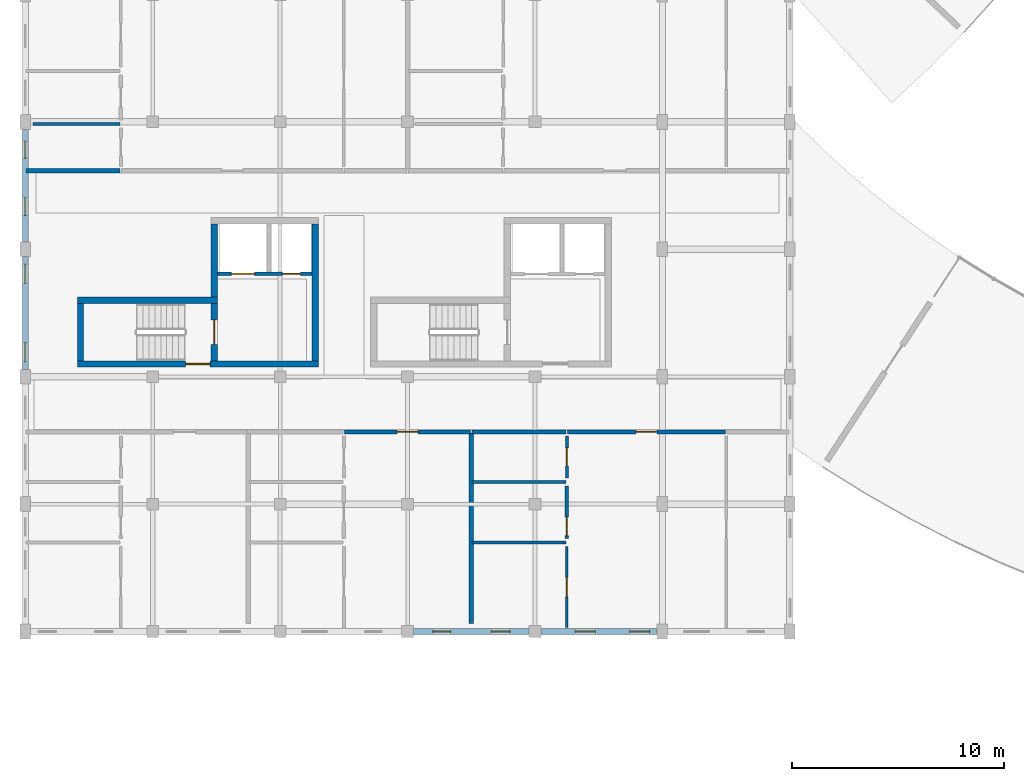
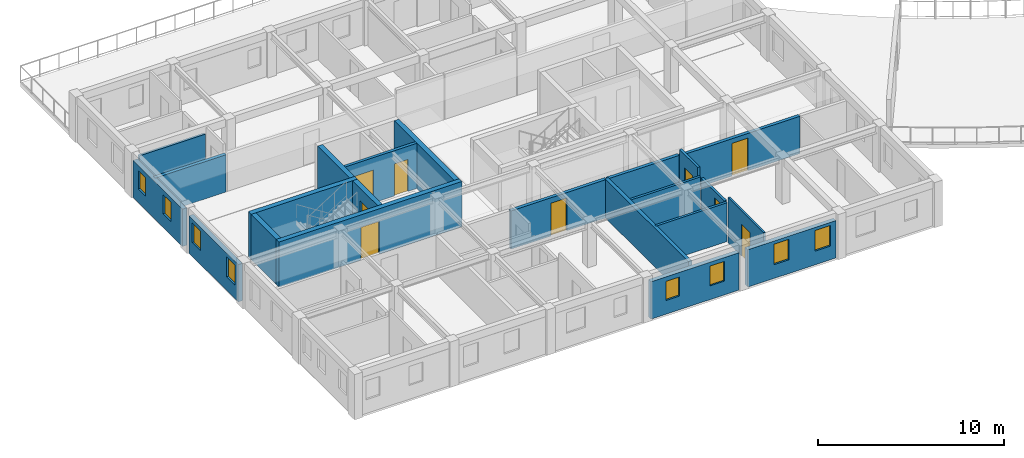
# One storey, part 26 of 58: 22 walls, 9 doors, 8 windows, 17 openings.
"""IFC4 building model written with IfcOpenShell, lengths in metres."""

from ifc_helpers import new_model, si_unit, direction, frame, frame_2d, origin, place, context, subcontext, project, spatial, rectangle, extrude, material, layer, layer_set, type_object, element, fill, save


model = new_model("IFC4")

# Units and contexts
model_context = context("Model", 3, precision=1e-05, world=origin(), true_north=direction((0.0, 1.0)))
body_context = subcontext(model_context, "Body", "Model", "MODEL_VIEW")
ifc_project = project(units=[si_unit("LENGTHUNIT", "METRE"), si_unit("AREAUNIT", "SQUARE_METRE"), si_unit("VOLUMEUNIT", "CUBIC_METRE"), si_unit("PLANEANGLEUNIT", "RADIAN"), si_unit("MASSUNIT", "GRAM", prefix="KILO"), si_unit("POWERUNIT", "WATT"), si_unit("THERMODYNAMICTEMPERATUREUNIT", "KELVIN")], contexts=[model_context])

# Site, building, storey
site_placement = place(None, origin())
site = spatial("IfcSite", under=ifc_project, at=site_placement, CompositionType="ELEMENT")
building_placement = place(site_placement, origin())
building = spatial("IfcBuilding", under=site, at=building_placement, Name="Ruvembo Vaulted Housing Court", CompositionType="ELEMENT")
storey_placement = place(building_placement, frame((0.0, 0.0, 20.5)))
storey = spatial("IfcBuildingStorey", under=building, at=storey_placement, Name="L06", CompositionType="ELEMENT", Elevation=20.5)

# Wall, opening, door
ifc_material_1 = material(Name="Concrete C35/45", Category="concrete")
ifc_layer_1 = layer(ifc_material_1, 0.300048828125, Name="Concrete C35/45")
ifc_layer_set_1 = layer_set([ifc_layer_1], Name="Concrete C35/45")
wall_type_1 = type_object("IfcWallType", Name="WL-CORE-300", PredefinedType="SHEAR", material=ifc_layer_set_1)
wall_1_placement = place(storey_placement, frame((2.449951171875, 18.60009765625, 0.0), z_axis=(0.0, 0.0, 1.0), x_axis=(1.0, 0.0, 0.0)))
wall_1 = element("IfcWall", 1, at=wall_1_placement, inside=storey, type_object=wall_type_1, Name="Core A1 L06 South Shear Wall", PredefinedType="SHEAR", context=body_context, shape_type="SweptSolid", body=[
    extrude(rectangle(XDim=11.35009765625, YDim=0.300048828125, at=frame_2d((5.675048828125, 0.0))), origin(), (0.0, 0.0, 1.0), 2.969970703125),
])
opening_1_placement = place(wall_1_placement, frame((5.10009765625, 0.0, 0.0)))
opening_1 = element("IfcOpeningElement", 2, at=opening_1_placement, cuts=wall_1, Name="Opening LD0", PredefinedType="OPENING", context=body_context, shape_type="SweptSolid", body=[
    extrude(rectangle(XDim=1.14990234375, YDim=2.14990234375, at=frame_2d((0.574951171875, 1.074951171875))), frame((0.0, 0.159912109375, 0.0), z_axis=(0.0, -1.0, 0.0), x_axis=(1.0, 0.0, 0.0)), (0.0, 0.0, 1.0), 0.320068359375),
])
ifc_material_2 = material(Name="Galvanised Painted Steel", Category="steel")
door_type_1 = type_object("IfcDoorType", Name="DR-LOB-1150x2150", OperationType="NOTDEFINED", PredefinedType="DOOR", material=ifc_material_2)
door_1_placement = place(opening_1_placement, origin())
door_1 = element("IfcDoor", 3, at=door_1_placement, inside=storey, type_object=door_type_1, Name="Core A1 L06 Lobby Fire Door", OperationType="SINGLE_SWING_RIGHT", OverallHeight=2.14990234375, OverallWidth=1.14990234375, PredefinedType="DOOR", context=body_context, shape_type="SweptSolid", body=[
    extrude(rectangle(XDim=1.14990234375, YDim=2.14990234375, at=frame_2d((0.574951171875, 1.074951171875))), frame((0.0, 0.02490234375, 0.0), z_axis=(0.0, -1.0, 0.0), x_axis=(1.0, 0.0, 0.0)), (0.0, 0.0, 1.0), 0.050048828125),
])
fill(opening_1, door_1)

# Walls
wall_2_placement = place(storey_placement, frame((9.050048828125, 21.60009765625, 0.0), z_axis=(0.0, 0.0, 1.0), x_axis=(-1.0, 0.0, 0.0)))
element("IfcWall", 4, at=wall_2_placement, inside=storey, type_object=wall_type_1, Name="Core A1 L06 Stair North Shear Wall", PredefinedType="SHEAR", context=body_context, shape_type="SweptSolid", body=[
    extrude(rectangle(XDim=6.60009765625, YDim=0.300048828125, at=frame_2d((3.300048828125, 0.0))), origin(), (0.0, 0.0, 1.0), 2.969970703125),
])
wall_3_placement = place(storey_placement, frame((2.60009765625, 21.449951171875, 0.0), z_axis=(0.0, 0.0, 1.0), x_axis=(0.0, -1.0, 0.0)))
element("IfcWall", 5, at=wall_3_placement, inside=storey, type_object=wall_type_1, Name="Core A1 L06 Stair West Shear Wall", PredefinedType="SHEAR", context=body_context, shape_type="SweptSolid", body=[
    extrude(rectangle(XDim=2.699951171875, YDim=0.300048828125, at=frame_2d((1.35009765625, 0.0))), origin(), (0.0, 0.0, 1.0), 2.969970703125),
])

# Wall, opening, door
wall_4_placement = place(storey_placement, frame((8.89990234375, 18.75, 0.0), z_axis=(0.0, 0.0, 1.0), x_axis=(0.0, 1.0, 0.0)))
wall_4 = element("IfcWall", 6, at=wall_4_placement, inside=storey, type_object=wall_type_1, Name="Core A1 L06 Stair-Lobby Shear Wall", PredefinedType="SHEAR", context=body_context, shape_type="SweptSolid", body=[
    extrude(rectangle(XDim=2.699951171875, YDim=0.300048828125, at=frame_2d((1.35009765625, 0.0))), origin(), (0.0, 0.0, 1.0), 2.969970703125),
])
opening_2_placement = place(wall_4_placement, frame((0.77490234375, 0.0, 0.0)))
opening_2 = element("IfcOpeningElement", 7, at=opening_2_placement, cuts=wall_4, Name="Opening SD1", PredefinedType="OPENING", context=body_context, shape_type="SweptSolid", body=[
    extrude(rectangle(XDim=1.14990234375, YDim=2.14990234375, at=frame_2d((0.574951171875, 1.074951171875))), frame((0.0, 0.159912109375, 0.0), z_axis=(0.0, -1.0, 0.0), x_axis=(1.0, 0.0, 0.0)), (0.0, 0.0, 1.0), 0.320068359375),
])
door_type_2 = type_object("IfcDoorType", Name="DR-STAIR-1150x2150", OperationType="NOTDEFINED", PredefinedType="DOOR", material=ifc_material_2)
door_2_placement = place(opening_2_placement, origin())
door_2 = element("IfcDoor", 8, at=door_2_placement, inside=storey, type_object=door_type_2, Name="Stair ST-A1 L06 Fire Door", OperationType="SINGLE_SWING_LEFT", OverallHeight=2.14990234375, OverallWidth=1.14990234375, PredefinedType="DOOR", context=body_context, shape_type="SweptSolid", body=[
    extrude(rectangle(XDim=1.14990234375, YDim=2.14990234375, at=frame_2d((0.574951171875, 1.074951171875))), frame((0.0, 0.02490234375, 0.0), z_axis=(0.0, -1.0, 0.0), x_axis=(1.0, 0.0, 0.0)), (0.0, 0.0, 1.0), 0.050048828125),
])
fill(opening_2, door_2)

# Walls
wall_5_placement = place(storey_placement, frame((13.64990234375, 18.75, 0.0), z_axis=(0.0, 0.0, 1.0), x_axis=(0.0, 1.0, 0.0)))
element("IfcWall", 9, at=wall_5_placement, inside=storey, type_object=wall_type_1, Name="Core A1 L06 East Shear Wall", PredefinedType="SHEAR", context=body_context, shape_type="SweptSolid", body=[
    extrude(rectangle(XDim=6.449951171875, YDim=0.300048828125, at=frame_2d((3.22509765625, 0.0))), origin(), (0.0, 0.0, 1.0), 2.969970703125),
])
wall_6_placement = place(storey_placement, frame((8.89990234375, 21.75, 0.0), z_axis=(0.0, 0.0, 1.0), x_axis=(0.0, 1.0, 0.0)))
element("IfcWall", 10, at=wall_6_placement, inside=storey, type_object=wall_type_1, Name="Core A1 L06 Upper West Shear Wall", PredefinedType="SHEAR", context=body_context, shape_type="SweptSolid", body=[
    extrude(rectangle(XDim=3.449951171875, YDim=0.300048828125, at=frame_2d((1.72509765625, 0.0))), origin(), (0.0, 0.0, 1.0), 2.969970703125),
])

# Wall, opening, door
ifc_material_3 = material(Name="Concrete Blockwork 200", Category="masonry")
ifc_layer_2 = layer(ifc_material_3, 0.199951171875, Name="Concrete Blockwork 200")
ifc_layer_set_2 = layer_set([ifc_layer_2], Name="Concrete Blockwork 200")
wall_type_2 = type_object("IfcWallType", Name="WL-CORR-200", PredefinedType="SOLIDWALL", material=ifc_layer_set_2)
wall_7_placement = place(storey_placement, frame((15.0400390625, 15.39990234375, 0.0), z_axis=(0.0, 0.0, 1.0), x_axis=(1.0, 0.0, 0.0)))
wall_7 = element("IfcWall", 11, at=wall_7_placement, inside=storey, type_object=wall_type_2, Name="L06 Flat A-L06-S2 Entrance WL-INT-L06-01700", PredefinedType="SOLIDWALL", context=body_context, shape_type="SweptSolid", body=[
    extrude(rectangle(XDim=5.919921875, YDim=0.199951171875, at=frame_2d((2.9599609375, 0.0))), origin(), (0.0, 0.0, 1.0), 2.508056640625),
])
opening_3_placement = place(wall_7_placement, frame((2.4599609375, 0.0, 0.0)))
opening_3 = element("IfcOpeningElement", 12, at=opening_3_placement, cuts=wall_7, Name="Opening FD1", PredefinedType="OPENING", context=body_context, shape_type="SweptSolid", body=[
    extrude(rectangle(XDim=1.0, YDim=2.14990234375, at=frame_2d((0.5, 1.074951171875))), frame((0.0, 0.10986328125, 0.0), z_axis=(0.0, -1.0, 0.0), x_axis=(1.0, 0.0, 0.0)), (0.0, 0.0, 1.0), 0.219970703125),
])
ifc_material_4 = material(Name="FSC Hardwood and Engineered Timber", Category="wood")
door_type_3 = type_object("IfcDoorType", Name="DR-FLAT-1000x2150", OperationType="NOTDEFINED", PredefinedType="DOOR", material=ifc_material_4)
door_3_placement = place(opening_3_placement, origin())
door_3 = element("IfcDoor", 13, at=door_3_placement, inside=storey, type_object=door_type_3, Name="L06 Flat A-L06-S2 Entrance Door DR-INT-L06-00963", OperationType="SINGLE_SWING_LEFT", OverallHeight=2.14990234375, OverallWidth=1.0, PredefinedType="DOOR", context=body_context, shape_type="SweptSolid", body=[
    extrude(rectangle(XDim=1.0, YDim=2.14990234375, at=frame_2d((0.5, 1.074951171875))), frame((0.0, 0.02490234375, 0.0), z_axis=(0.0, -1.0, 0.0), x_axis=(1.0, 0.0, 0.0)), (0.0, 0.0, 1.0), 0.050048828125),
])
fill(opening_3, door_3)

# Wall
wall_8_placement = place(storey_placement, frame((21.0400390625, 15.39990234375, 0.0), z_axis=(0.0, 0.0, 1.0), x_axis=(1.0, 0.0, 0.0)))
element("IfcWall", 14, at=wall_8_placement, inside=storey, type_object=wall_type_2, Name="L06 Flat A-L06-S3 Corridor Wall WL-INT-L06-01706", PredefinedType="SOLIDWALL", context=body_context, shape_type="SweptSolid", body=[
    extrude(rectangle(XDim=4.419921875, YDim=0.199951171875, at=frame_2d((2.2099609375, 0.0))), origin(), (0.0, 0.0, 1.0), 2.508056640625),
])

# Wall, opening, door
wall_9_placement = place(storey_placement, frame((25.5400390625, 15.39990234375, 0.0), z_axis=(0.0, 0.0, 1.0), x_axis=(1.0, 0.0, 0.0)))
wall_9 = element("IfcWall", 15, at=wall_9_placement, inside=storey, type_object=wall_type_2, Name="L06 Flat A-L06-S3 Entrance WL-INT-L06-01707", PredefinedType="SOLIDWALL", context=body_context, shape_type="SweptSolid", body=[
    extrude(rectangle(XDim=7.419921875, YDim=0.199951171875, at=frame_2d((3.7099609375, 0.0))), origin(), (0.0, 0.0, 1.0), 2.451904296875),
])
opening_4_placement = place(wall_9_placement, frame((3.219970703125, 0.0, 0.0)))
opening_4 = element("IfcOpeningElement", 16, at=opening_4_placement, cuts=wall_9, Name="Opening FD2", PredefinedType="OPENING", context=body_context, shape_type="SweptSolid", body=[
    extrude(rectangle(XDim=0.97998046875, YDim=2.14990234375, at=frame_2d((0.489990234375, 1.074951171875))), frame((0.0, 0.10986328125, 0.0), z_axis=(0.0, -1.0, 0.0), x_axis=(1.0, 0.0, 0.0)), (0.0, 0.0, 1.0), 0.219970703125),
])
door_type_4 = type_object("IfcDoorType", Name="DR-FLAT-0980x2150", OperationType="NOTDEFINED", PredefinedType="DOOR", material=ifc_material_4)
door_4_placement = place(opening_4_placement, origin())
door_4 = element("IfcDoor", 17, at=door_4_placement, inside=storey, type_object=door_type_4, Name="L06 Flat A-L06-S3 Entrance Door DR-INT-L06-00967", OperationType="SINGLE_SWING_LEFT", OverallHeight=2.14990234375, OverallWidth=0.97998046875, PredefinedType="DOOR", context=body_context, shape_type="SweptSolid", body=[
    extrude(rectangle(XDim=0.97998046875, YDim=2.14990234375, at=frame_2d((0.489990234375, 1.074951171875))), frame((0.0, 0.02490234375, 0.0), z_axis=(0.0, -1.0, 0.0), x_axis=(1.0, 0.0, 0.0)), (0.0, 0.0, 1.0), 0.050048828125),
])
fill(opening_4, door_4)

# Walls
wall_10_placement = place(storey_placement, frame((0.0400390625, 27.699951171875, 0.0), z_axis=(0.0, 0.0, 1.0), x_axis=(1.0, 0.0, 0.0)))
element("IfcWall", 18, at=wall_10_placement, inside=storey, type_object=wall_type_2, Name="L06 Flat A-L06-N1 Corridor Wall WL-INT-L06-01716", PredefinedType="SOLIDWALL", context=body_context, shape_type="SweptSolid", body=[
    extrude(rectangle(XDim=4.419921875, YDim=0.199951171875, at=frame_2d((2.2099609375, 0.0))), origin(), (0.0, 0.0, 1.0), 2.451904296875),
])
ifc_material_5 = material(Name="Acoustic Masonry Demising 220", Category="masonry")
ifc_layer_3 = layer(ifc_material_5, 0.219970703125, Name="Acoustic Masonry Demising 220")
ifc_layer_set_3 = layer_set([ifc_layer_3], Name="Acoustic Masonry Demising 220")
wall_type_3 = type_object("IfcWallType", Name="WL-DEM-200", PredefinedType="SOLIDWALL", material=ifc_layer_set_3)
wall_11_placement = place(storey_placement, frame((21.0, 6.389892578125, 0.0), z_axis=(0.0, 0.0, 1.0), x_axis=(0.0, 1.0, 0.0)))
element("IfcWall", 19, at=wall_11_placement, inside=storey, type_object=wall_type_3, Name="L06 Demising A-L06-S2 WL-INT-L06-01698", PredefinedType="SOLIDWALL", context=body_context, shape_type="SweptSolid", body=[
    extrude(rectangle(XDim=8.97021484375, YDim=0.219970703125, at=frame_2d((4.485107421875, 0.0))), origin(), (0.0, 0.0, 1.0), 2.548095703125),
])

# Wall, openings, windows
ifc_material_6 = material(Name="Rendered Masonry 270", Category="masonry")
ifc_layer_4 = layer(ifc_material_6, 0.27001953125, Name="Rendered Masonry 270")
ifc_layer_set_4 = layer_set([ifc_layer_4], Name="Rendered Masonry 270")
wall_type_4 = type_object("IfcWallType", Name="WL-EXT-270", PredefinedType="STANDARD", material=ifc_layer_set_4)
wall_12_placement = place(storey_placement, frame((18.27490234375, 6.0, 0.0), z_axis=(0.0, 0.0, 1.0), x_axis=(1.0, 0.0, 0.0)))
wall_12 = element("IfcWall", 20, at=wall_12_placement, inside=storey, type_object=wall_type_4, Name="Block A L06 Exterior Wall STREET #4", PredefinedType="STANDARD", context=body_context, shape_type="SweptSolid", body=[
    extrude(rectangle(XDim=5.4501953125, YDim=0.27001953125, at=frame_2d((2.72509765625, 0.0))), origin(), (0.0, 0.0, 1.0), 2.451904296875),
])
opening_5_placement = place(wall_12_placement, frame((0.91748046875, 0.0, 0.89990234375)))
opening_5 = element("IfcOpeningElement", 21, at=opening_5_placement, cuts=wall_12, Name="Opening W03", PredefinedType="OPENING", context=body_context, shape_type="SweptSolid", body=[
    extrude(rectangle(XDim=0.85009765625, YDim=1.25, at=frame_2d((0.425048828125, 0.625))), frame((0.0, 0.14501953125, 0.0), z_axis=(0.0, -1.0, 0.0), x_axis=(1.0, 0.0, 0.0)), (0.0, 0.0, 1.0), 0.2900390625),
])
opening_6_placement = place(wall_12_placement, frame((3.657470703125, 0.0, 0.89990234375)))
opening_6 = element("IfcOpeningElement", 22, at=opening_6_placement, cuts=wall_12, Name="Opening W04", PredefinedType="OPENING", context=body_context, shape_type="SweptSolid", body=[
    extrude(rectangle(XDim=0.89990234375, YDim=1.300048828125, at=frame_2d((0.449951171875, 0.64990234375))), frame((0.0, 0.14501953125, 0.0), z_axis=(0.0, -1.0, 0.0), x_axis=(1.0, 0.0, 0.0)), (0.0, 0.0, 1.0), 0.2900390625),
])
ifc_material_7 = material(Name="Double Solar-Control Glazing in Aluminium Frame", Category="aluminium")
window_type_1 = type_object("IfcWindowType", Name="WIN-0850x1250", PartitioningType="SINGLE_PANEL", PredefinedType="WINDOW", material=ifc_material_7)
window_1_placement = place(opening_5_placement, origin())
window_1 = element("IfcWindow", 23, at=window_1_placement, inside=storey, type_object=window_type_1, Name="Block A L06 Window #259", OverallHeight=1.25, OverallWidth=0.85009765625, PartitioningType="SINGLE_PANEL", PredefinedType="WINDOW", context=body_context, shape_type="SweptSolid", body=[
    extrude(rectangle(XDim=0.85009765625, YDim=1.25, at=frame_2d((0.425048828125, 0.625))), frame((0.0, 0.030029296875, 0.0), z_axis=(0.0, -1.0, 0.0), x_axis=(1.0, 0.0, 0.0)), (0.0, 0.0, 1.0), 0.06005859375),
])
fill(opening_5, window_1)
window_type_2 = type_object("IfcWindowType", Name="WIN-0900x1300", PartitioningType="SINGLE_PANEL", PredefinedType="WINDOW", material=ifc_material_7)
window_2_placement = place(opening_6_placement, origin())
window_2 = element("IfcWindow", 24, at=window_2_placement, inside=storey, type_object=window_type_2, Name="Block A L06 Window #260", OverallHeight=1.300048828125, OverallWidth=0.89990234375, PartitioningType="SINGLE_PANEL", PredefinedType="WINDOW", context=body_context, shape_type="SweptSolid", body=[
    extrude(rectangle(XDim=0.89990234375, YDim=1.300048828125, at=frame_2d((0.449951171875, 0.64990234375))), frame((0.0, 0.030029296875, 0.0), z_axis=(0.0, -1.0, 0.0), x_axis=(1.0, 0.0, 0.0)), (0.0, 0.0, 1.0), 0.06005859375),
])
fill(opening_6, window_2)

wall_13_placement = place(storey_placement, frame((24.27490234375, 6.0, 0.0), z_axis=(0.0, 0.0, 1.0), x_axis=(1.0, 0.0, 0.0)))
wall_13 = element("IfcWall", 25, at=wall_13_placement, inside=storey, type_object=wall_type_4, Name="Block A L06 Exterior Wall STREET #5", PredefinedType="STANDARD", context=body_context, shape_type="SweptSolid", body=[
    extrude(rectangle(XDim=5.47509765625, YDim=0.27001953125, at=frame_2d((2.737548828125, 0.0))), origin(), (0.0, 0.0, 1.0), 2.451904296875),
])
opening_7_placement = place(wall_13_placement, frame((1.614990234375, 0.0, 0.89990234375)))
opening_7 = element("IfcOpeningElement", 26, at=opening_7_placement, cuts=wall_13, Name="Opening W07", PredefinedType="OPENING", context=body_context, shape_type="SweptSolid", body=[
    extrude(rectangle(XDim=0.949951171875, YDim=1.35009765625, at=frame_2d((0.47509765625, 0.675048828125))), frame((0.0, 0.14501953125, 0.0), z_axis=(0.0, -1.0, 0.0), x_axis=(1.0, 0.0, 0.0)), (0.0, 0.0, 1.0), 0.2900390625),
])
opening_8_placement = place(wall_13_placement, frame((4.175048828125, 0.0, 0.89990234375)))
opening_8 = element("IfcOpeningElement", 27, at=opening_8_placement, cuts=wall_13, Name="Opening W07", PredefinedType="OPENING", context=body_context, shape_type="SweptSolid", body=[
    extrude(rectangle(XDim=0.949951171875, YDim=1.35009765625, at=frame_2d((0.47509765625, 0.675048828125))), frame((0.0, 0.14501953125, 0.0), z_axis=(0.0, -1.0, 0.0), x_axis=(1.0, 0.0, 0.0)), (0.0, 0.0, 1.0), 0.2900390625),
])
window_type_3 = type_object("IfcWindowType", Name="WIN-0950x1350", PartitioningType="SINGLE_PANEL", PredefinedType="WINDOW", material=ifc_material_7)
window_3_placement = place(opening_7_placement, origin())
window_3 = element("IfcWindow", 28, at=window_3_placement, inside=storey, type_object=window_type_3, Name="Block A L06 Window #261", OverallHeight=1.35009765625, OverallWidth=0.949951171875, PartitioningType="SINGLE_PANEL", PredefinedType="WINDOW", context=body_context, shape_type="SweptSolid", body=[
    extrude(rectangle(XDim=0.949951171875, YDim=1.35009765625, at=frame_2d((0.47509765625, 0.675048828125))), frame((0.0, 0.030029296875, 0.0), z_axis=(0.0, -1.0, 0.0), x_axis=(1.0, 0.0, 0.0)), (0.0, 0.0, 1.0), 0.06005859375),
])
fill(opening_7, window_3)
window_4_placement = place(opening_8_placement, origin())
window_4 = element("IfcWindow", 29, at=window_4_placement, inside=storey, type_object=window_type_3, Name="Block A L06 Window #262", OverallHeight=1.35009765625, OverallWidth=0.949951171875, PartitioningType="SINGLE_PANEL", PredefinedType="WINDOW", context=body_context, shape_type="SweptSolid", body=[
    extrude(rectangle(XDim=0.949951171875, YDim=1.35009765625, at=frame_2d((0.47509765625, 0.675048828125))), frame((0.0, 0.030029296875, 0.0), z_axis=(0.0, -1.0, 0.0), x_axis=(1.0, 0.0, 0.0)), (0.0, 0.0, 1.0), 0.06005859375),
])
fill(opening_8, window_4)

wall_14_placement = place(storey_placement, frame((0.0, 29.64990234375, 0.0), z_axis=(0.0, 0.0, 1.0), x_axis=(0.0, -1.0, 0.0)))
wall_14 = element("IfcWall", 30, at=wall_14_placement, inside=storey, type_object=wall_type_4, Name="Block A L06 Exterior Wall WEST #2", PredefinedType="STANDARD", context=body_context, shape_type="SweptSolid", body=[
    extrude(rectangle(XDim=5.2998046875, YDim=0.27001953125, at=frame_2d((2.64990234375, 0.0))), origin(), (0.0, 0.0, 1.0), 2.451904296875),
])
opening_9_placement = place(wall_14_placement, frame((0.554931640625, 0.0, 0.89990234375)))
opening_9 = element("IfcOpeningElement", 31, at=opening_9_placement, cuts=wall_14, Name="Opening W02", PredefinedType="OPENING", context=body_context, shape_type="SweptSolid", body=[
    extrude(rectangle(XDim=0.800048828125, YDim=1.199951171875, at=frame_2d((0.39990234375, 0.60009765625))), frame((0.0, 0.14501953125, 0.0), z_axis=(0.0, -1.0, 0.0), x_axis=(1.0, 0.0, 0.0)), (0.0, 0.0, 1.0), 0.2900390625),
])
opening_10_placement = place(wall_14_placement, frame((3.219970703125, 0.0, 0.89990234375)))
opening_10 = element("IfcOpeningElement", 32, at=opening_10_placement, cuts=wall_14, Name="Opening W03", PredefinedType="OPENING", context=body_context, shape_type="SweptSolid", body=[
    extrude(rectangle(XDim=0.85009765625, YDim=1.25, at=frame_2d((0.425048828125, 0.625))), frame((0.0, 0.14501953125, 0.0), z_axis=(0.0, -1.0, 0.0), x_axis=(1.0, 0.0, 0.0)), (0.0, 0.0, 1.0), 0.2900390625),
])
window_type_4 = type_object("IfcWindowType", Name="WIN-0800x1200", PartitioningType="SINGLE_PANEL", PredefinedType="WINDOW", material=ifc_material_7)
window_5_placement = place(opening_9_placement, origin())
window_5 = element("IfcWindow", 33, at=window_5_placement, inside=storey, type_object=window_type_4, Name="Block A L06 Window #288", OverallHeight=1.199951171875, OverallWidth=0.800048828125, PartitioningType="SINGLE_PANEL", PredefinedType="WINDOW", context=body_context, shape_type="SweptSolid", body=[
    extrude(rectangle(XDim=0.800048828125, YDim=1.199951171875, at=frame_2d((0.39990234375, 0.60009765625))), frame((0.0, 0.030029296875, 0.0), z_axis=(0.0, -1.0, 0.0), x_axis=(1.0, 0.0, 0.0)), (0.0, 0.0, 1.0), 0.06005859375),
])
fill(opening_9, window_5)
window_6_placement = place(opening_10_placement, origin())
window_6 = element("IfcWindow", 34, at=window_6_placement, inside=storey, type_object=window_type_1, Name="Block A L06 Window #289", OverallHeight=1.25, OverallWidth=0.85009765625, PartitioningType="SINGLE_PANEL", PredefinedType="WINDOW", context=body_context, shape_type="SweptSolid", body=[
    extrude(rectangle(XDim=0.85009765625, YDim=1.25, at=frame_2d((0.425048828125, 0.625))), frame((0.0, 0.030029296875, 0.0), z_axis=(0.0, -1.0, 0.0), x_axis=(1.0, 0.0, 0.0)), (0.0, 0.0, 1.0), 0.06005859375),
])
fill(opening_10, window_6)

wall_15_placement = place(storey_placement, frame((0.0, 23.64990234375, 0.0), z_axis=(0.0, 0.0, 1.0), x_axis=(0.0, -1.0, 0.0)))
wall_15 = element("IfcWall", 35, at=wall_15_placement, inside=storey, type_object=wall_type_4, Name="Block A L06 Exterior Wall WEST #3", PredefinedType="STANDARD", context=body_context, shape_type="SweptSolid", body=[
    extrude(rectangle(XDim=5.2998046875, YDim=0.27001953125, at=frame_2d((2.64990234375, 0.0))), origin(), (0.0, 0.0, 1.0), 2.451904296875),
])
opening_11_placement = place(wall_15_placement, frame((0.35009765625, 0.0, 0.89990234375)))
opening_11 = element("IfcOpeningElement", 36, at=opening_11_placement, cuts=wall_15, Name="Opening W04", PredefinedType="OPENING", context=body_context, shape_type="SweptSolid", body=[
    extrude(rectangle(XDim=0.89990234375, YDim=1.300048828125, at=frame_2d((0.449951171875, 0.64990234375))), frame((0.0, 0.14501953125, 0.0), z_axis=(0.0, -1.0, 0.0), x_axis=(1.0, 0.0, 0.0)), (0.0, 0.0, 1.0), 0.2900390625),
])
opening_12_placement = place(wall_15_placement, frame((4.050048828125, 0.0, 0.89990234375)))
opening_12 = element("IfcOpeningElement", 37, at=opening_12_placement, cuts=wall_15, Name="Opening W04", PredefinedType="OPENING", context=body_context, shape_type="SweptSolid", body=[
    extrude(rectangle(XDim=0.89990234375, YDim=1.300048828125, at=frame_2d((0.449951171875, 0.64990234375))), frame((0.0, 0.14501953125, 0.0), z_axis=(0.0, -1.0, 0.0), x_axis=(1.0, 0.0, 0.0)), (0.0, 0.0, 1.0), 0.2900390625),
])
window_7_placement = place(opening_11_placement, origin())
window_7 = element("IfcWindow", 38, at=window_7_placement, inside=storey, type_object=window_type_2, Name="Block A L06 Window #290", OverallHeight=1.300048828125, OverallWidth=0.89990234375, PartitioningType="SINGLE_PANEL", PredefinedType="WINDOW", context=body_context, shape_type="SweptSolid", body=[
    extrude(rectangle(XDim=0.89990234375, YDim=1.300048828125, at=frame_2d((0.449951171875, 0.64990234375))), frame((0.0, 0.030029296875, 0.0), z_axis=(0.0, -1.0, 0.0), x_axis=(1.0, 0.0, 0.0)), (0.0, 0.0, 1.0), 0.06005859375),
])
fill(opening_11, window_7)
window_8_placement = place(opening_12_placement, origin())
window_8 = element("IfcWindow", 39, at=window_8_placement, inside=storey, type_object=window_type_2, Name="Block A L06 Window #291", OverallHeight=1.300048828125, OverallWidth=0.89990234375, PartitioningType="SINGLE_PANEL", PredefinedType="WINDOW", context=body_context, shape_type="SweptSolid", body=[
    extrude(rectangle(XDim=0.89990234375, YDim=1.300048828125, at=frame_2d((0.449951171875, 0.64990234375))), frame((0.0, 0.030029296875, 0.0), z_axis=(0.0, -1.0, 0.0), x_axis=(1.0, 0.0, 0.0)), (0.0, 0.0, 1.0), 0.06005859375),
])
fill(opening_12, window_8)

# Wall, opening, door
ifc_material_8 = material(Name="Plasterboard Stud Partition 125", Category="gypsum")
ifc_layer_5 = layer(ifc_material_8, 0.125, Name="Plasterboard Stud Partition 125")
ifc_layer_set_5 = layer_set([ifc_layer_5], Name="Plasterboard Stud Partition 125")
wall_type_5 = type_object("IfcWallType", Name="WL-PART-125", PredefinedType="PARTITIONING", material=ifc_layer_set_5)
wall_16_placement = place(storey_placement, frame((25.5, 6.18994140625, 0.0), z_axis=(0.0, 0.0, 1.0), x_axis=(0.0, 1.0, 0.0)))
wall_16 = element("IfcWall", 40, at=wall_16_placement, inside=storey, type_object=wall_type_5, Name="L06 Flat A-L06-S3 Bedroom 1 WL-INT-L06-01708", PredefinedType="PARTITIONING", context=body_context, shape_type="SweptSolid", body=[
    extrude(rectangle(XDim=3.820068359375, YDim=0.125, at=frame_2d((1.91015625, 0.0))), origin(), (0.0, 0.0, 1.0), 2.969970703125),
])
opening_13_placement = place(wall_16_placement, frame((1.4599609375, 0.0, 0.0)))
opening_13 = element("IfcOpeningElement", 41, at=opening_13_placement, cuts=wall_16, Name="Opening ID1", PredefinedType="OPENING", context=body_context, shape_type="SweptSolid", body=[
    extrude(rectangle(XDim=0.89990234375, YDim=2.10009765625, at=frame_2d((0.449951171875, 1.050048828125))), frame((0.0, 0.072509765625, 0.0), z_axis=(0.0, -1.0, 0.0), x_axis=(1.0, 0.0, 0.0)), (0.0, 0.0, 1.0), 0.14501953125),
])
door_type_5 = type_object("IfcDoorType", Name="DR-ROOM-0900x2100", OperationType="NOTDEFINED", PredefinedType="DOOR", material=ifc_material_4)
door_5_placement = place(opening_13_placement, origin())
door_5 = element("IfcDoor", 42, at=door_5_placement, inside=storey, type_object=door_type_5, Name="L06 Flat A-L06-S3 Bedroom 1 Door DR-INT-L06-00968", OperationType="SINGLE_SWING_RIGHT", OverallHeight=2.10009765625, OverallWidth=0.89990234375, PredefinedType="DOOR", context=body_context, shape_type="SweptSolid", body=[
    extrude(rectangle(XDim=0.89990234375, YDim=2.10009765625, at=frame_2d((0.449951171875, 1.050048828125))), frame((0.0, 0.02490234375, 0.0), z_axis=(0.0, -1.0, 0.0), x_axis=(1.0, 0.0, 0.0)), (0.0, 0.0, 1.0), 0.050048828125),
])
fill(opening_13, door_5)

ifc_material_9 = material(Name="Moisture-Resistant Wet Partition 150", Category="gypsum")
ifc_layer_6 = layer(ifc_material_9, 0.14990234375, Name="Moisture-Resistant Wet Partition 150")
ifc_layer_set_6 = layer_set([ifc_layer_6], Name="Moisture-Resistant Wet Partition 150")
wall_type_6 = type_object("IfcWallType", Name="WL-PART-150", PredefinedType="PARTITIONING", material=ifc_layer_set_6)
wall_17_placement = place(storey_placement, frame((25.5, 13.239990234375, 0.0), z_axis=(0.0, 0.0, 1.0), x_axis=(0.0, 1.0, 0.0)))
wall_17 = element("IfcWall", 43, at=wall_17_placement, inside=storey, type_object=wall_type_6, Name="L06 Flat A-L06-S3 Bathroom WL-INT-L06-01710", PredefinedType="PARTITIONING", context=body_context, shape_type="SweptSolid", body=[
    extrude(rectangle(XDim=1.969970703125, YDim=0.14990234375, at=frame_2d((0.98486328125, 0.0))), origin(), (0.0, 0.0, 1.0), 2.969970703125),
])
opening_14_placement = place(wall_17_placement, frame((0.56005859375, 0.0, 0.0)))
opening_14 = element("IfcOpeningElement", 44, at=opening_14_placement, cuts=wall_17, Name="Opening ID2", PredefinedType="OPENING", context=body_context, shape_type="SweptSolid", body=[
    extrude(rectangle(XDim=0.85009765625, YDim=2.10009765625, at=frame_2d((0.425048828125, 1.050048828125))), frame((0.0, 0.0849609375, 0.0), z_axis=(0.0, -1.0, 0.0), x_axis=(1.0, 0.0, 0.0)), (0.0, 0.0, 1.0), 0.169921875),
])
door_type_6 = type_object("IfcDoorType", Name="DR-WET-0850x2100", OperationType="NOTDEFINED", PredefinedType="DOOR", material=ifc_material_4)
door_6_placement = place(opening_14_placement, origin())
door_6 = element("IfcDoor", 45, at=door_6_placement, inside=storey, type_object=door_type_6, Name="L06 Flat A-L06-S3 Bathroom Door DR-INT-L06-00970", OperationType="SINGLE_SWING_RIGHT", OverallHeight=2.10009765625, OverallWidth=0.85009765625, PredefinedType="DOOR", context=body_context, shape_type="SweptSolid", body=[
    extrude(rectangle(XDim=0.85009765625, YDim=2.10009765625, at=frame_2d((0.425048828125, 1.050048828125))), frame((0.0, 0.02490234375, 0.0), z_axis=(0.0, -1.0, 0.0), x_axis=(1.0, 0.0, 0.0)), (0.0, 0.0, 1.0), 0.050048828125),
])
fill(opening_14, door_6)

# Walls
wall_18_placement = place(storey_placement, frame((21.0400390625, 10.199951171875, 0.0), z_axis=(0.0, 0.0, 1.0), x_axis=(1.0, 0.0, 0.0)))
element("IfcWall", 46, at=wall_18_placement, inside=storey, type_object=wall_type_6, Name="L06 Flat A-L06-S3 Wet Wall 1 WL-INT-L06-01711", PredefinedType="PARTITIONING", context=body_context, shape_type="SweptSolid", body=[
    extrude(rectangle(XDim=4.419921875, YDim=0.14990234375, at=frame_2d((2.2099609375, 0.0))), origin(), (0.0, 0.0, 1.0), 2.548095703125),
])
wall_19_placement = place(storey_placement, frame((21.0400390625, 13.050048828125, 0.0), z_axis=(0.0, 0.0, 1.0), x_axis=(1.0, 0.0, 0.0)))
element("IfcWall", 47, at=wall_19_placement, inside=storey, type_object=wall_type_6, Name="L06 Flat A-L06-S3 Wet Wall 2 WL-INT-L06-01712", PredefinedType="PARTITIONING", context=body_context, shape_type="SweptSolid", body=[
    extrude(rectangle(XDim=4.419921875, YDim=0.14990234375, at=frame_2d((2.2099609375, 0.0))), origin(), (0.0, 0.0, 1.0), 2.508056640625),
])
wall_20_placement = place(storey_placement, frame((0.360107421875, 29.89990234375, 0.0), z_axis=(0.0, 0.0, 1.0), x_axis=(1.0, 0.0, 0.0)))
element("IfcWall", 48, at=wall_20_placement, inside=storey, type_object=wall_type_6, Name="L06 Flat A-L06-N1 Wet Wall 2 WL-INT-L06-01722", PredefinedType="PARTITIONING", context=body_context, shape_type="SweptSolid", body=[
    extrude(rectangle(XDim=4.099853515625, YDim=0.14990234375, at=frame_2d((2.0498046875, 0.0))), origin(), (0.0, 0.0, 1.0), 2.451904296875),
])

# Wall, opening, door
ifc_material_10 = material(Name="Acoustic Service Chase Wall 160", Category="gypsum")
ifc_layer_7 = layer(ifc_material_10, 0.159912109375, Name="Acoustic Service Chase Wall 160")
ifc_layer_set_7 = layer_set([ifc_layer_7], Name="Acoustic Service Chase Wall 160")
wall_type_7 = type_object("IfcWallType", Name="WL-PLUMB-160", PredefinedType="PLUMBINGWALL", material=ifc_layer_set_7)
wall_21_placement = place(storey_placement, frame((25.5, 10.389892578125, 0.0), z_axis=(0.0, 0.0, 1.0), x_axis=(0.0, 1.0, 0.0)))
wall_21 = element("IfcWall", 49, at=wall_21_placement, inside=storey, type_object=wall_type_7, Name="L06 Flat A-L06-S3 Kitchen WL-INT-L06-01709", PredefinedType="PLUMBINGWALL", context=body_context, shape_type="SweptSolid", body=[
    extrude(rectangle(XDim=2.47021484375, YDim=0.159912109375, at=frame_2d((1.235107421875, 0.0))), origin(), (0.0, 0.0, 1.0), 2.508056640625),
])
opening_15_placement = place(wall_21_placement, frame((0.1298828125, 0.0, 0.0)))
opening_15 = element("IfcOpeningElement", 50, at=opening_15_placement, cuts=wall_21, Name="Opening ID3", PredefinedType="OPENING", context=body_context, shape_type="SweptSolid", body=[
    extrude(rectangle(XDim=0.8798828125, YDim=2.10009765625, at=frame_2d((0.43994140625, 1.050048828125))), frame((0.0, 0.08984375, 0.0), z_axis=(0.0, -1.0, 0.0), x_axis=(1.0, 0.0, 0.0)), (0.0, 0.0, 1.0), 0.179931640625),
])
door_type_7 = type_object("IfcDoorType", Name="DR-ROOM-0880x2100", OperationType="NOTDEFINED", PredefinedType="DOOR", material=ifc_material_4)
door_7_placement = place(opening_15_placement, origin())
door_7 = element("IfcDoor", 51, at=door_7_placement, inside=storey, type_object=door_type_7, Name="L06 Flat A-L06-S3 Kitchen Door DR-INT-L06-00969", OperationType="SINGLE_SWING_LEFT", OverallHeight=2.10009765625, OverallWidth=0.8798828125, PredefinedType="DOOR", context=body_context, shape_type="SweptSolid", body=[
    extrude(rectangle(XDim=0.8798828125, YDim=2.10009765625, at=frame_2d((0.43994140625, 1.050048828125))), frame((0.0, 0.02490234375, 0.0), z_axis=(0.0, -1.0, 0.0), x_axis=(1.0, 0.0, 0.0)), (0.0, 0.0, 1.0), 0.050048828125),
])
fill(opening_15, door_7)

# Wall, openings, doors
ifc_material_11 = material(Name="Fire-Rated Masonry Shaft 180", Category="masonry")
ifc_layer_8 = layer(ifc_material_11, 0.179931640625, Name="Fire-Rated Masonry Shaft 180")
ifc_layer_set_8 = layer_set([ifc_layer_8], Name="Fire-Rated Masonry Shaft 180")
wall_type_8 = type_object("IfcWallType", Name="WL-SHAFT-180", PredefinedType="SOLIDWALL", material=ifc_layer_set_8)
wall_22_placement = place(storey_placement, frame((9.050048828125, 22.85009765625, 0.0), z_axis=(0.0, 0.0, 1.0), x_axis=(1.0, 0.0, 0.0)))
wall_22 = element("IfcWall", 52, at=wall_22_placement, inside=storey, type_object=wall_type_8, Name="Core A1 L06 Lift and Riser Front Wall", PredefinedType="SOLIDWALL", context=body_context, shape_type="SweptSolid", body=[
    extrude(rectangle(XDim=4.449951171875, YDim=0.179931640625, at=frame_2d((2.22509765625, 0.0))), origin(), (0.0, 0.0, 1.0), 2.969970703125),
])
opening_16_placement = place(wall_22_placement, frame((0.64990234375, 0.0, 0.0)))
opening_16 = element("IfcOpeningElement", 53, at=opening_16_placement, cuts=wall_22, Name="Opening LD-FL-A1-L06", PredefinedType="OPENING", context=body_context, shape_type="SweptSolid", body=[
    extrude(rectangle(XDim=1.10009765625, YDim=2.14990234375, at=frame_2d((0.550048828125, 1.074951171875))), frame((0.0, 0.099853515625, 0.0), z_axis=(0.0, -1.0, 0.0), x_axis=(1.0, 0.0, 0.0)), (0.0, 0.0, 1.0), 0.199951171875),
])
opening_17_placement = place(wall_22_placement, frame((3.050048828125, 0.0, 0.0)))
opening_17 = element("IfcOpeningElement", 54, at=opening_17_placement, cuts=wall_22, Name="Opening RD1", PredefinedType="OPENING", context=body_context, shape_type="SweptSolid", body=[
    extrude(rectangle(XDim=0.85009765625, YDim=2.10009765625, at=frame_2d((0.425048828125, 1.050048828125))), frame((0.0, 0.099853515625, 0.0), z_axis=(0.0, -1.0, 0.0), x_axis=(1.0, 0.0, 0.0)), (0.0, 0.0, 1.0), 0.199951171875),
])
ifc_material_12 = material(Name="Brushed Stainless Steel 304", Category="steel")
door_type_8 = type_object("IfcDoorType", Name="DR-LIFT-1100x2150", OperationType="NOTDEFINED", PredefinedType="DOOR", material=ifc_material_12)
door_8_placement = place(opening_16_placement, origin())
door_8 = element("IfcDoor", 55, at=door_8_placement, inside=storey, type_object=door_type_8, Name="Lift FL-A1 L06 Sliding Landing Door", OperationType="SLIDING_TO_LEFT", OverallHeight=2.14990234375, OverallWidth=1.10009765625, PredefinedType="DOOR", context=body_context, shape_type="SweptSolid", body=[
    extrude(rectangle(XDim=1.10009765625, YDim=2.14990234375, at=frame_2d((0.550048828125, 1.074951171875))), frame((0.0, 0.02490234375, 0.0), z_axis=(0.0, -1.0, 0.0), x_axis=(1.0, 0.0, 0.0)), (0.0, 0.0, 1.0), 0.050048828125),
])
fill(opening_16, door_8)
door_type_9 = type_object("IfcDoorType", Name="DR-RISER-0850x2100", OperationType="NOTDEFINED", PredefinedType="DOOR", material=ifc_material_2)
door_9_placement = place(opening_17_placement, frame((0.85009765625, 0.0, 0.0), z_axis=(0.0, 0.0, 1.0), x_axis=(-1.0, 0.0, 0.0)))
door_9 = element("IfcDoor", 56, at=door_9_placement, inside=storey, type_object=door_type_9, Name="Core A1 L06 Service Riser Door", OperationType="SINGLE_SWING_RIGHT", OverallHeight=2.10009765625, OverallWidth=0.85009765625, PredefinedType="DOOR", context=body_context, shape_type="SweptSolid", body=[
    extrude(rectangle(XDim=0.85009765625, YDim=2.10009765625, at=frame_2d((0.425048828125, 1.050048828125))), frame((0.0, 0.02490234375, 0.0), z_axis=(0.0, -1.0, 0.0), x_axis=(1.0, 0.0, 0.0)), (0.0, 0.0, 1.0), 0.050048828125),
])
fill(opening_17, door_9)

save(model, "model.ifc")
